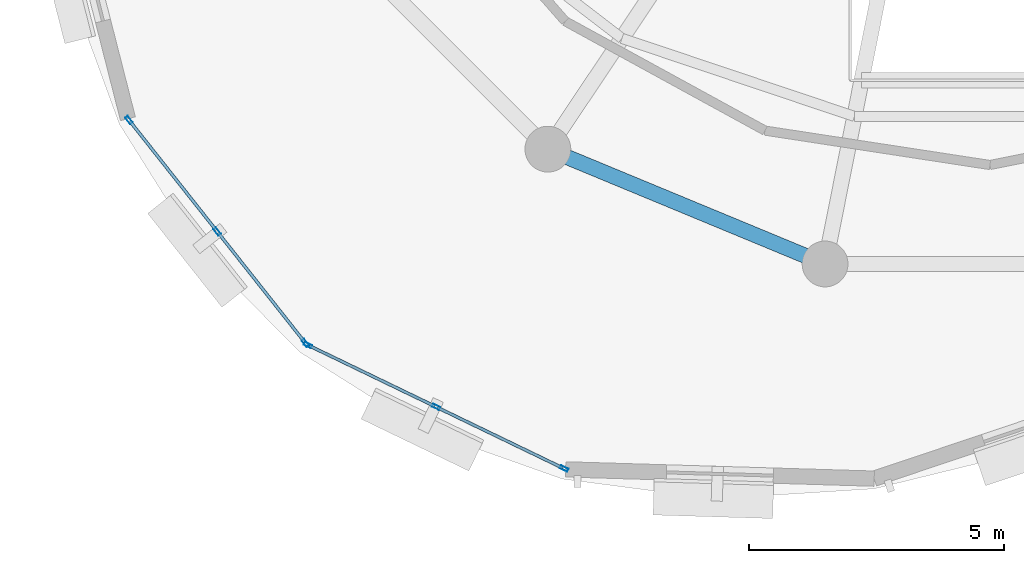
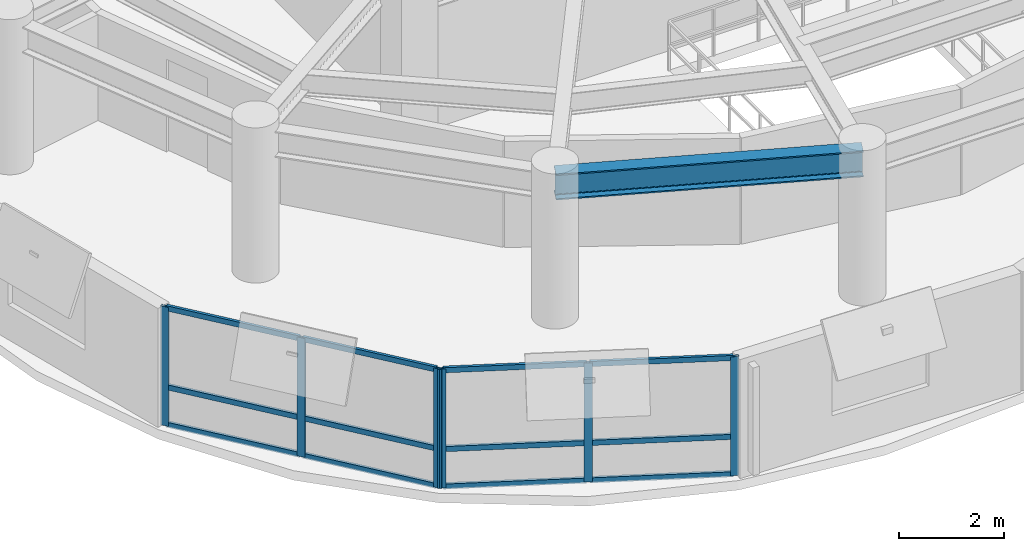
# One storey, part 2 of 11: 18 members, 1 beam, 2 elements without a shape of their own.
"""IFC4 building model written with IfcOpenShell, lengths in metres."""

import ifcopenshell
import ifcopenshell.guid

model = None  # the IFC model being written
_history = None  # IfcOwnerHistory: only IFC2X3 demands one
_inside = {}  # id of a spatial element -> (the spatial element, [elements in it])
_under = {}  # id of a project, library or spatial element -> (it, [spatial elements below it])
_declared = {}  # id of a project -> (the project, [libraries it declares])
_typed = {}  # id of a type object -> (the type object, [elements of that type])
_made_of = {}  # id of a material, layer set ... -> (it, [elements and type objects made of it])


def new_model(schema):
    """Start an empty IFC model of exactly this schema.

    Asked for "IFC4X3", IfcOpenShell would pick the latest addendum, in which some entities
    have other attributes; the version numbers below select the first issue.
    IFC2X3 requires an IfcOwnerHistory on every rooted entity: one is made here for all.
    """
    global model, _history
    if schema == "IFC4X3":
        model = ifcopenshell.file(schema_version=(4, 3, 0, 0))
    else:
        model = ifcopenshell.file(schema=schema)
    _inside.clear()
    _under.clear()
    _declared.clear()
    _typed.clear()
    _made_of.clear()
    _history = None
    if model.schema == "IFC2X3":
        org = make("IfcOrganization", Name="unknown")
        user = make(
            "IfcPersonAndOrganization",
            ThePerson=make("IfcPerson", FamilyName="unknown"),
            TheOrganization=org,
        )
        app = make(
            "IfcApplication",
            ApplicationDeveloper=org,
            Version="unknown",
            ApplicationFullName="unknown",
            ApplicationIdentifier="unknown",
        )
        _history = make(
            "IfcOwnerHistory",
            OwningUser=user,
            OwningApplication=app,
            ChangeAction="ADDED",
            CreationDate=0,
        )
    return model


def make(cls, **values):
    """One entity of the class cls with the attributes given. An attribute that is None is left unset."""
    return model.create_entity(
        cls, **{name: value for name, value in values.items() if value is not None}
    )


def rooted(cls, **values):
    """An entity with a GlobalId (a new one), such as an element, a storey or a relation."""
    return make(cls, GlobalId=ifcopenshell.guid.new(), OwnerHistory=_history, **values)


def si_unit(unit_type, name, prefix=None):
    """IfcSIUnit, for example si_unit("LENGTHUNIT", "METRE", prefix="MILLI")."""
    return make("IfcSIUnit", UnitType=unit_type, Prefix=prefix, Name=name)


def assignment(units):
    """IfcUnitAssignment: the units of a project."""
    return None if units is None else make("IfcUnitAssignment", Units=units)


def point(xyz):
    """IfcCartesianPoint."""
    return None if xyz is None else make("IfcCartesianPoint", Coordinates=xyz)


def direction(xyz):
    """IfcDirection."""
    return None if xyz is None else make("IfcDirection", DirectionRatios=xyz)


def frame(location, z_axis=None, x_axis=None):
    """IfcAxis2Placement3D, a coordinate frame: its origin and axes. An axis left out is left unset."""
    return make(
        "IfcAxis2Placement3D",
        Location=point(location),
        Axis=direction(z_axis),
        RefDirection=direction(x_axis),
    )


def frame_2d(location, x_axis=None):
    """IfcAxis2Placement2D, a coordinate frame in the plane: its origin and x axis."""
    return make(
        "IfcAxis2Placement2D", Location=point(location), RefDirection=direction(x_axis)
    )


def origin():
    """The frame at (0, 0, 0) with its axes left unset."""
    return frame((0.0, 0.0, 0.0))


def origin_2d():
    """The frame at (0, 0) in the plane with its x axis left unset."""
    return frame_2d((0.0, 0.0))


def place(relative_to, where):
    """IfcLocalPlacement: puts the frame where relative to a parent placement (None: the world)."""
    return make(
        "IfcLocalPlacement", PlacementRelTo=relative_to, RelativePlacement=where
    )


def context(
    kind, dimensions, precision=None, world=None, true_north=None, identifier=None
):
    """IfcGeometricRepresentationContext, for example the 3D "Model" context."""
    return make(
        "IfcGeometricRepresentationContext",
        ContextIdentifier=identifier,
        ContextType=kind,
        CoordinateSpaceDimension=dimensions,
        Precision=precision,
        WorldCoordinateSystem=world,
        TrueNorth=true_north,
    )


def subcontext(parent, identifier, kind, view, scale=None):
    """IfcGeometricRepresentationSubContext, for example "Body" below "Model"."""
    return make(
        "IfcGeometricRepresentationSubContext",
        ContextIdentifier=identifier,
        ContextType=kind,
        ParentContext=parent,
        TargetScale=scale,
        TargetView=view,
    )


def project(units=None, contexts=None):
    """IfcProject with its units and contexts."""
    return rooted(
        "IfcProject",
        Name="project",
        RepresentationContexts=contexts,
        UnitsInContext=assignment(units),
    )


def spatial(cls, under=None, at=None, **own):
    """A site, building, storey or space (cls), placed at a placement, below another one or the project."""
    s = rooted(cls, ObjectPlacement=at, **own)
    if under is not None:
        _under.setdefault(under.id(), (under, []))[1].append(s)
    return s


def profile(cls, at=None, kind="AREA", **sizes):
    """A parametric profile (cls). Its sizes go by their IFC names, for example OverallWidth=200.0."""
    return make(cls, ProfileType=kind, Position=at, **sizes)


def hollow_rectangle(**sizes):
    """IfcRectangleHollowProfileDef."""
    return profile("IfcRectangleHollowProfileDef", **sizes)


def i_section(**sizes):
    """IfcIShapeProfileDef."""
    return profile("IfcIShapeProfileDef", **sizes)


def extrude(swept, where, along, depth):
    """IfcExtrudedAreaSolid: the profile swept, set in the frame where, extruded along a direction by depth."""
    return make(
        "IfcExtrudedAreaSolid",
        SweptArea=swept,
        Position=where,
        ExtrudedDirection=direction(along),
        Depth=depth,
    )


def shape(context_of_items, identifier, shape_type, items):
    """IfcShapeRepresentation: the items that make up one representation, for example the "Body"."""
    return make(
        "IfcShapeRepresentation",
        ContextOfItems=context_of_items,
        RepresentationIdentifier=identifier,
        RepresentationType=shape_type,
        Items=items,
    )


def material(Name=None, Category=None):
    """IfcMaterial."""
    return make("IfcMaterial", Name=Name, Category=Category)


def layer(
    of_material, thickness, ventilated=None, Name=None, Category=None, Priority=None
):
    """IfcMaterialLayer: one layer of a wall or slab, of a material (None: an air gap)."""
    return make(
        "IfcMaterialLayer",
        Material=of_material,
        LayerThickness=thickness,
        IsVentilated=ventilated,
        Name=Name,
        Category=Category,
        Priority=Priority,
    )


def layer_set(layers, Name=None):
    """IfcMaterialLayerSet."""
    return make("IfcMaterialLayerSet", MaterialLayers=layers, LayerSetName=Name)


def material_profile(
    of_material, cross_section, Name=None, Category=None, Priority=None
):
    """IfcMaterialProfile: a cross section and its material."""
    return make(
        "IfcMaterialProfile",
        Name=Name,
        Material=of_material,
        Profile=cross_section,
        Priority=Priority,
        Category=Category,
    )


def profile_set(profiles, Name=None, composite=None):
    """IfcMaterialProfileSet."""
    return make(
        "IfcMaterialProfileSet",
        Name=Name,
        MaterialProfiles=profiles,
        CompositeProfile=composite,
    )


def made_of(thing, what):
    """Note that an element or type object is made of a material, layer set ...; save() writes the relation."""
    if what is not None:
        _made_of.setdefault(what.id(), (what, []))[1].append(thing)
    return thing


def type_object(cls, material=None, **own):
    """A type object (cls), such as IfcWallType, which elements share."""
    return made_of(rooted(cls, **own), material)


def element(
    cls,
    number,
    at=None,
    inside=None,
    cuts=None,
    type_object=None,
    material=None,
    context=None,
    identifier="Body",
    shape_type=None,
    held_by="IfcProductDefinitionShape",
    body=None,
    shapes=None,
    **own,
):
    """One element of the class cls, such as IfcWall. Its Tag is "e" and its number.

    at: its placement. inside: the storey or other place that contains it. cuts: it is an
    opening in that element (IfcRelVoidsElement). A single representation is given by context,
    identifier, shape_type and body (its items); several are given by shapes. held_by: the class
    of the entity that holds the representations. save() writes the other relations.
    """
    e = rooted(cls, Tag="e%d" % number, ObjectPlacement=at, **own)
    if body is not None:
        shapes = [shape(context, identifier, shape_type, body)]
    if shapes is not None:
        e.Representation = make(held_by, Representations=shapes)
    if inside is not None:
        _inside.setdefault(inside.id(), (inside, []))[1].append(e)
    if cuts is not None:
        rooted(
            "IfcRelVoidsElement", RelatingBuildingElement=cuts, RelatedOpeningElement=e
        )
    if type_object is not None:
        _typed.setdefault(type_object.id(), (type_object, []))[1].append(e)
    return made_of(e, material)


def aggregate(whole, parts):
    """IfcRelAggregates: a whole, such as a stair, and the parts it consists of."""
    return rooted("IfcRelAggregates", RelatingObject=whole, RelatedObjects=parts)


def save(model, path):
    """Write the relations noted so far, then the file.

    IfcRelAggregates (storeys below a building ...), IfcRelContainedInSpatialStructure (elements
    in a storey), IfcRelDefinesByType, IfcRelAssociatesMaterial and IfcRelDeclares: one each for
    every whole, place, type object, material and project.
    """
    for whole, parts in _under.values():
        aggregate(whole, parts)
    for where, things in _inside.values():
        rooted(
            "IfcRelContainedInSpatialStructure",
            RelatedElements=things,
            RelatingStructure=where,
        )
    for kind, things in _typed.values():
        rooted("IfcRelDefinesByType", RelatedObjects=things, RelatingType=kind)
    for what, things in _made_of.values():
        rooted("IfcRelAssociatesMaterial", RelatedObjects=things, RelatingMaterial=what)
    for by, libraries in _declared.values():
        rooted("IfcRelDeclares", RelatingContext=by, RelatedDefinitions=libraries)
    model.write(path)


model = new_model("IFC4")

# Units and contexts
model_context = context("Model", 3, precision=1e-05, world=origin(), true_north=direction((0.0, 1.0)))
body_context = subcontext(model_context, "Body", "Model", "MODEL_VIEW")
ifc_project = project(units=[si_unit("LENGTHUNIT", "METRE"), si_unit("AREAUNIT", "SQUARE_METRE"), si_unit("VOLUMEUNIT", "CUBIC_METRE"), si_unit("PLANEANGLEUNIT", "RADIAN"), si_unit("MASSUNIT", "GRAM", prefix="KILO"), si_unit("THERMODYNAMICTEMPERATUREUNIT", "KELVIN"), si_unit("POWERUNIT", "WATT")], contexts=[model_context])

# Site, building, storey
site_placement = place(None, origin())
site = spatial("IfcSite", under=ifc_project, at=site_placement, CompositionType="ELEMENT")
building_placement = place(site_placement, origin())
building = spatial("IfcBuilding", under=site, at=building_placement, Name="Ocrelia Relay Tower", CompositionType="ELEMENT")
storey_placement = place(building_placement, frame((0.0, 0.0, 244.800048828125)))
storey = spatial("IfcBuildingStorey", under=building, at=storey_placement, Name="L60", CompositionType="ELEMENT", Elevation=244.800048828125)

# Beam
ifc_material_1 = material(Name="Steel S355", Category="steel")
ifc_material_profile_1 = material_profile(ifc_material_1, i_section(OverallWidth=0.300048828125, OverallDepth=0.60009765625, WebThickness=0.015380859375, FlangeThickness=0.030029296875, FilletRadius=0.027099609375, at=origin_2d()), Name="HEB 600")
ifc_profile_set_1 = profile_set([ifc_material_profile_1], Name="Steel S355")
beam_type = type_object("IfcBeamType", Name="BM-HEB600", PredefinedType="BEAM", material=ifc_profile_set_1)
beam_placement = place(storey_placement, frame((25.61083984375, 13.44482421875, 3.079833984375), z_axis=(0.923884009374, -0.382672624084, 0.0), x_axis=(0.382672624084, 0.923884009374, 0.0)))
element("IfcBeam", 1, at=beam_placement, inside=storey, type_object=beam_type, Name="L60 Perimeter Spandrel Beam S11", PredefinedType="BEAM", context=body_context, shape_type="SweptSolid", body=[
    extrude(i_section(OverallWidth=0.300048828125, OverallDepth=0.60009765625, WebThickness=0.015380859375, FlangeThickness=0.030029296875, FilletRadius=0.027099609375, at=origin_2d()), origin(), (0.0, 0.0, 1.0), 5.891845703125),
])

# Curtain wall, members
ifc_material_2 = material(Name="Aluminium and solar-control low-E glass", Category="aluminium")
ifc_layer = layer(ifc_material_2, 0.179931640625, Name="Aluminium and solar-control low-E glass")
ifc_layer_set = layer_set([ifc_layer], Name="Aluminium and solar-control low-E glass")
curtain_wall_type = type_object("IfcCurtainWallType", Name="CW-SYS-Z4-EXEC", PredefinedType="NOTDEFINED", material=ifc_layer_set)
curtain_wall_1_placement = place(storey_placement, origin())
curtain_wall_1 = element("IfcCurtainWall", 2, at=curtain_wall_1_placement, inside=storey, type_object=curtain_wall_type, Name="L60 Elliptical Tower Curtain Wall Bay 09", PredefinedType="NOTDEFINED")
ifc_material_3 = material(Name="Anodised bronze aluminium", Category="aluminium")
ifc_material_profile_2 = material_profile(ifc_material_3, hollow_rectangle(XDim=0.06494140625, YDim=0.159912109375, WallThickness=0.0048828125, at=origin_2d()), Name="CW-MUL-160x65")
ifc_profile_set_2 = profile_set([ifc_material_profile_2], Name="Anodised bronze aluminium")
member_type_1 = type_object("IfcMemberType", Name="CW-SYS-Z4-EXEC-MUL", PredefinedType="MULLION", material=ifc_profile_set_2)
member_1_placement = place(storey_placement, frame((17.384521484375, 14.016845703125, 0.0), z_axis=(0.0, 0.0, 1.0), x_axis=(0.784262178901, 0.620429556634, 0.0)))
member_1 = element("IfcMember", 3, at=member_1_placement, type_object=member_type_1, Name="CW-Z4 mullion 1", PredefinedType="MULLION", context=body_context, shape_type="SweptSolid", body=[
    extrude(hollow_rectangle(XDim=0.06494140625, YDim=0.159912109375, WallThickness=0.0048828125, at=origin_2d()), origin(), (0.0, 0.0, 1.0), 2.760009765625),
])
member_2_placement = place(storey_placement, frame((19.1171875, 11.82666015625, 0.0), z_axis=(0.0, 0.0, 1.0), x_axis=(0.784262178901, 0.620429556634, 0.0)))
member_2 = element("IfcMember", 4, at=member_2_placement, type_object=member_type_1, Name="CW-Z4 mullion 2", PredefinedType="MULLION", context=body_context, shape_type="SweptSolid", body=[
    extrude(hollow_rectangle(XDim=0.06494140625, YDim=0.159912109375, WallThickness=0.0048828125, at=origin_2d()), origin(), (0.0, 0.0, 1.0), 2.760009765625),
])
member_3_placement = place(storey_placement, frame((20.849853515625, 9.636474609375, 0.0), z_axis=(0.0, 0.0, 1.0), x_axis=(0.784262178901, 0.620429556634, 0.0)))
member_3 = element("IfcMember", 5, at=member_3_placement, type_object=member_type_1, Name="CW-Z4 mullion 3", PredefinedType="MULLION", context=body_context, shape_type="SweptSolid", body=[
    extrude(hollow_rectangle(XDim=0.06494140625, YDim=0.159912109375, WallThickness=0.0048828125, at=origin_2d()), origin(), (0.0, 0.0, 1.0), 2.760009765625),
])

curtain_wall_2_placement = place(storey_placement, origin())
curtain_wall_2 = element("IfcCurtainWall", 6, at=curtain_wall_2_placement, inside=storey, type_object=curtain_wall_type, Name="L60 Elliptical Tower Curtain Wall Bay 10", PredefinedType="NOTDEFINED")
member_4_placement = place(storey_placement, frame((20.899169921875, 9.596923828125, 0.0), z_axis=(0.0, 0.0, 1.0), x_axis=(0.434418421029, 0.90071118316, 0.0)))
member_4 = element("IfcMember", 7, at=member_4_placement, type_object=member_type_1, Name="CW-Z4 mullion 1", PredefinedType="MULLION", context=body_context, shape_type="SweptSolid", body=[
    extrude(hollow_rectangle(XDim=0.06494140625, YDim=0.159912109375, WallThickness=0.0048828125, at=origin_2d()), origin(), (0.0, 0.0, 1.0), 2.760009765625),
])
member_5_placement = place(storey_placement, frame((23.41455078125, 8.3837890625, 0.0), z_axis=(0.0, 0.0, 1.0), x_axis=(0.434418421029, 0.90071118316, 0.0)))
member_5 = element("IfcMember", 8, at=member_5_placement, type_object=member_type_1, Name="CW-Z4 mullion 2", PredefinedType="MULLION", context=body_context, shape_type="SweptSolid", body=[
    extrude(hollow_rectangle(XDim=0.06494140625, YDim=0.159912109375, WallThickness=0.0048828125, at=origin_2d()), origin(), (0.0, 0.0, 1.0), 2.760009765625),
])
member_6_placement = place(storey_placement, frame((25.929931640625, 7.17041015625, 0.0), z_axis=(0.0, 0.0, 1.0), x_axis=(0.434418421029, 0.90071118316, 0.0)))
member_6 = element("IfcMember", 9, at=member_6_placement, type_object=member_type_1, Name="CW-Z4 mullion 3", PredefinedType="MULLION", context=body_context, shape_type="SweptSolid", body=[
    extrude(hollow_rectangle(XDim=0.06494140625, YDim=0.159912109375, WallThickness=0.0048828125, at=origin_2d()), origin(), (0.0, 0.0, 1.0), 2.760009765625),
])

# Member
ifc_material_profile_3 = material_profile(ifc_material_3, hollow_rectangle(XDim=0.06005859375, YDim=0.1201171875, WallThickness=0.0048828125, at=origin_2d()), Name="CW-TRN-120x60")
ifc_profile_set_3 = profile_set([ifc_material_profile_3], Name="Anodised bronze aluminium")
member_type_2 = type_object("IfcMemberType", Name="CW-SYS-Z4-EXEC-TRN", PredefinedType="USERDEFINED", material=ifc_profile_set_3)
member_7_placement = place(storey_placement, frame((17.404541015625, 13.9912109375, 0.030029296875), z_axis=(0.620450730841, -0.784245427528, 0.0), x_axis=(0.784245427528, 0.620450730841, 0.0)))
member_7 = element("IfcMember", 10, at=member_7_placement, type_object=member_type_2, Name="CW-Z4 transom 1.1", ObjectType="TRANSOM", PredefinedType="USERDEFINED", context=body_context, shape_type="SweptSolid", body=[
    extrude(hollow_rectangle(XDim=0.06005859375, YDim=0.1201171875, WallThickness=0.0048828125, at=origin_2d()), origin(), (0.0, 0.0, 1.0), 2.727783203125),
])

member_8_placement = place(storey_placement, frame((17.404541015625, 13.9912109375, 0.89990234375), z_axis=(0.620450730841, -0.784245427528, 0.0), x_axis=(0.784245427528, 0.620450730841, 0.0)))
member_8 = element("IfcMember", 11, at=member_8_placement, type_object=member_type_2, Name="CW-Z4 transom 1.2", ObjectType="TRANSOM", PredefinedType="USERDEFINED", context=body_context, shape_type="SweptSolid", body=[
    extrude(hollow_rectangle(XDim=0.06005859375, YDim=0.1201171875, WallThickness=0.0048828125, at=origin_2d()), origin(), (0.0, 0.0, 1.0), 2.727783203125),
])

member_9_placement = place(storey_placement, frame((17.404541015625, 13.9912109375, 2.72998046875), z_axis=(0.620450730841, -0.784245427528, 0.0), x_axis=(0.784245427528, 0.620450730841, 0.0)))
member_9 = element("IfcMember", 12, at=member_9_placement, type_object=member_type_2, Name="CW-Z4 transom 1.3", ObjectType="TRANSOM", PredefinedType="USERDEFINED", context=body_context, shape_type="SweptSolid", body=[
    extrude(hollow_rectangle(XDim=0.06005859375, YDim=0.1201171875, WallThickness=0.0048828125, at=origin_2d()), origin(), (0.0, 0.0, 1.0), 2.727783203125),
])

member_10_placement = place(storey_placement, frame((19.13720703125, 11.80126953125, 0.030029296875), z_axis=(0.620407180947, -0.784279879781, 0.0), x_axis=(0.784279879781, 0.620407180947, 0.0)))
member_10 = element("IfcMember", 13, at=member_10_placement, type_object=member_type_2, Name="CW-Z4 transom 2.1", ObjectType="TRANSOM", PredefinedType="USERDEFINED", context=body_context, shape_type="SweptSolid", body=[
    extrude(hollow_rectangle(XDim=0.06005859375, YDim=0.1201171875, WallThickness=0.0048828125, at=origin_2d()), origin(), (0.0, 0.0, 1.0), 2.727783203125),
])

member_11_placement = place(storey_placement, frame((19.13720703125, 11.80126953125, 0.89990234375), z_axis=(0.620407180947, -0.784279879781, 0.0), x_axis=(0.784279879781, 0.620407180947, 0.0)))
member_11 = element("IfcMember", 14, at=member_11_placement, type_object=member_type_2, Name="CW-Z4 transom 2.2", ObjectType="TRANSOM", PredefinedType="USERDEFINED", context=body_context, shape_type="SweptSolid", body=[
    extrude(hollow_rectangle(XDim=0.06005859375, YDim=0.1201171875, WallThickness=0.0048828125, at=origin_2d()), origin(), (0.0, 0.0, 1.0), 2.727783203125),
])

member_12_placement = place(storey_placement, frame((19.13720703125, 11.80126953125, 2.72998046875), z_axis=(0.620407180947, -0.784279879781, 0.0), x_axis=(0.784279879781, 0.620407180947, 0.0)))
member_12 = element("IfcMember", 15, at=member_12_placement, type_object=member_type_2, Name="CW-Z4 transom 2.3", ObjectType="TRANSOM", PredefinedType="USERDEFINED", context=body_context, shape_type="SweptSolid", body=[
    extrude(hollow_rectangle(XDim=0.06005859375, YDim=0.1201171875, WallThickness=0.0048828125, at=origin_2d()), origin(), (0.0, 0.0, 1.0), 2.727783203125),
])

aggregate(curtain_wall_1, [member_1, member_2, member_3, member_7, member_8, member_9, member_10, member_11, member_12])

member_13_placement = place(storey_placement, frame((20.928466796875, 9.582763671875, 0.030029296875), z_axis=(0.900691759852, -0.434458690482, 0.0), x_axis=(0.434458690482, 0.900691759852, 0.0)))
member_13 = element("IfcMember", 16, at=member_13_placement, type_object=member_type_2, Name="CW-Z4 transom 1.1", ObjectType="TRANSOM", PredefinedType="USERDEFINED", context=body_context, shape_type="SweptSolid", body=[
    extrude(hollow_rectangle(XDim=0.06005859375, YDim=0.1201171875, WallThickness=0.0048828125, at=origin_2d()), origin(), (0.0, 0.0, 1.0), 2.727783203125),
])

member_14_placement = place(storey_placement, frame((20.928466796875, 9.582763671875, 0.89990234375), z_axis=(0.900691759852, -0.434458690482, 0.0), x_axis=(0.434458690482, 0.900691759852, 0.0)))
member_14 = element("IfcMember", 17, at=member_14_placement, type_object=member_type_2, Name="CW-Z4 transom 1.2", ObjectType="TRANSOM", PredefinedType="USERDEFINED", context=body_context, shape_type="SweptSolid", body=[
    extrude(hollow_rectangle(XDim=0.06005859375, YDim=0.1201171875, WallThickness=0.0048828125, at=origin_2d()), origin(), (0.0, 0.0, 1.0), 2.727783203125),
])

member_15_placement = place(storey_placement, frame((20.928466796875, 9.582763671875, 2.72998046875), z_axis=(0.900691759852, -0.434458690482, 0.0), x_axis=(0.434458690482, 0.900691759852, 0.0)))
member_15 = element("IfcMember", 18, at=member_15_placement, type_object=member_type_2, Name="CW-Z4 transom 1.3", ObjectType="TRANSOM", PredefinedType="USERDEFINED", context=body_context, shape_type="SweptSolid", body=[
    extrude(hollow_rectangle(XDim=0.06005859375, YDim=0.1201171875, WallThickness=0.0048828125, at=origin_2d()), origin(), (0.0, 0.0, 1.0), 2.727783203125),
])

member_16_placement = place(storey_placement, frame((23.44384765625, 8.36962890625, 0.030029296875), z_axis=(0.900691759852, -0.434458690482, 0.0), x_axis=(0.434458690482, 0.900691759852, 0.0)))
member_16 = element("IfcMember", 19, at=member_16_placement, type_object=member_type_2, Name="CW-Z4 transom 2.1", ObjectType="TRANSOM", PredefinedType="USERDEFINED", context=body_context, shape_type="SweptSolid", body=[
    extrude(hollow_rectangle(XDim=0.06005859375, YDim=0.1201171875, WallThickness=0.0048828125, at=origin_2d()), origin(), (0.0, 0.0, 1.0), 2.727783203125),
])

member_17_placement = place(storey_placement, frame((23.44384765625, 8.36962890625, 0.89990234375), z_axis=(0.900691759852, -0.434458690482, 0.0), x_axis=(0.434458690482, 0.900691759852, 0.0)))
member_17 = element("IfcMember", 20, at=member_17_placement, type_object=member_type_2, Name="CW-Z4 transom 2.2", ObjectType="TRANSOM", PredefinedType="USERDEFINED", context=body_context, shape_type="SweptSolid", body=[
    extrude(hollow_rectangle(XDim=0.06005859375, YDim=0.1201171875, WallThickness=0.0048828125, at=origin_2d()), origin(), (0.0, 0.0, 1.0), 2.727783203125),
])

member_18_placement = place(storey_placement, frame((23.44384765625, 8.36962890625, 2.72998046875), z_axis=(0.900691759852, -0.434458690482, 0.0), x_axis=(0.434458690482, 0.900691759852, 0.0)))
member_18 = element("IfcMember", 21, at=member_18_placement, type_object=member_type_2, Name="CW-Z4 transom 2.3", ObjectType="TRANSOM", PredefinedType="USERDEFINED", context=body_context, shape_type="SweptSolid", body=[
    extrude(hollow_rectangle(XDim=0.06005859375, YDim=0.1201171875, WallThickness=0.0048828125, at=origin_2d()), origin(), (0.0, 0.0, 1.0), 2.727783203125),
])

aggregate(curtain_wall_2, [member_4, member_5, member_6, member_13, member_14, member_15, member_16, member_17, member_18])

save(model, "model.ifc")
